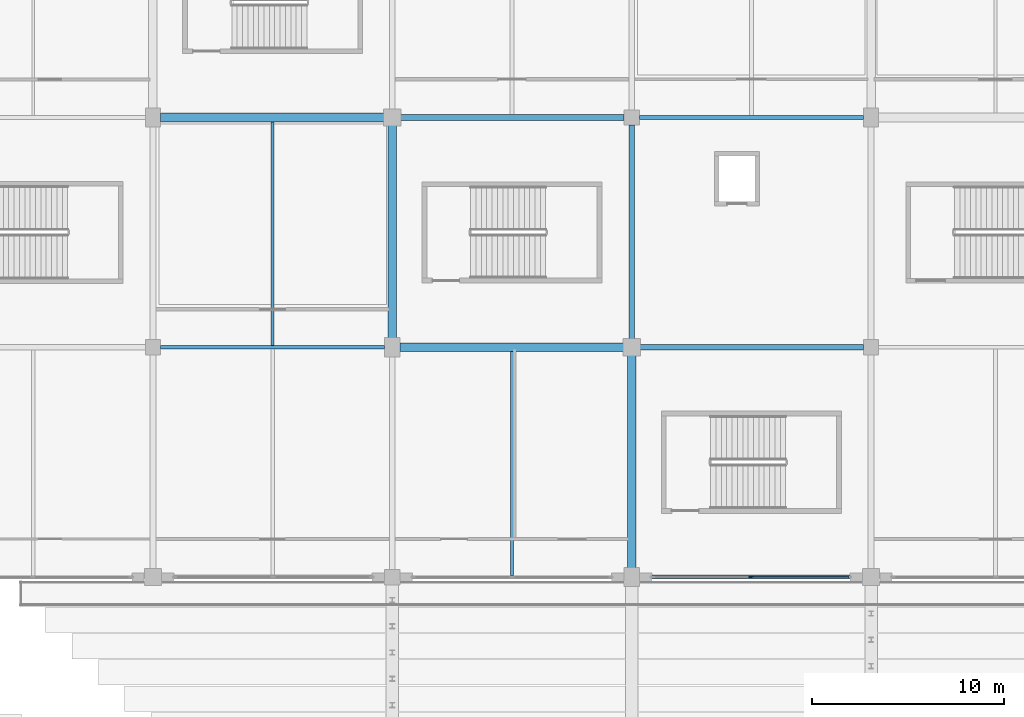
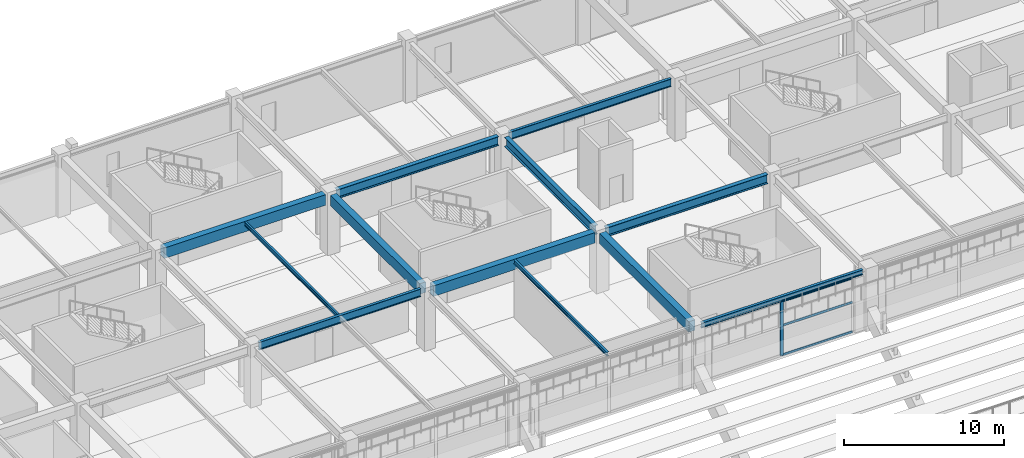
# One storey, part 56 of 134: 12 beams, 4 members, 1 element without a shape of its own.
"""IFC4 building model written with IfcOpenShell, lengths in metres."""

from ifc_helpers import new_model, si_unit, direction, frame, origin, origin_2d, place, context, subcontext, project, spatial, rectangle, i_section, extrude, material, layer, layer_set, material_profile, profile_set, type_object, element, aggregate, save


model = new_model("IFC4")

# Units and contexts
model_context = context("Model", 3, precision=1e-05, world=origin(), true_north=direction((0.0, 1.0)))
body_context = subcontext(model_context, "Body", "Model", "MODEL_VIEW")
ifc_project = project(units=[si_unit("LENGTHUNIT", "METRE"), si_unit("AREAUNIT", "SQUARE_METRE"), si_unit("VOLUMEUNIT", "CUBIC_METRE"), si_unit("PLANEANGLEUNIT", "RADIAN"), si_unit("MASSUNIT", "GRAM", prefix="KILO")], contexts=[model_context])

# Site, building, storey
site_placement = place(None, origin())
site = spatial("IfcSite", under=ifc_project, at=site_placement, CompositionType="ELEMENT")
building_placement = place(site_placement, origin())
building = spatial("IfcBuilding", under=site, at=building_placement, Name="Kazenohara Klinker Stadium", CompositionType="ELEMENT")
storey_placement = place(building_placement, frame((0.0, 0.0, 5.39990234375)))
storey = spatial("IfcBuildingStorey", under=building, at=storey_placement, Name="L01", CompositionType="ELEMENT", Elevation=5.39990234375)

# Beams
ifc_material_1 = material(Name="Steel S355", Category="steel")
ifc_material_profile_1 = material_profile(ifc_material_1, i_section(OverallWidth=0.14990234375, OverallDepth=0.300048828125, WebThickness=0.006591796875, FlangeThickness=0.009033203125, FilletRadius=0.012939453125, at=origin_2d()), Name="H-300x150x6.5x9")
ifc_profile_set_1 = profile_set([ifc_material_profile_1], Name="Steel S355")
beam_type_1 = type_object("IfcBeamType", Name="BM-JST05", PredefinedType="JOIST", material=ifc_profile_set_1)
beam_1_placement = place(storey_placement, frame((67.75, 144.10009765625, 4.400146484375), z_axis=(0.0, 1.0, 0.0), x_axis=(-1.0, 0.0, 0.0)))
element("IfcBeam", 1, at=beam_1_placement, inside=storey, type_object=beam_type_1, Name="Secondary floor joist SJ05 L01 6/N", PredefinedType="JOIST", context=body_context, shape_type="SweptSolid", body=[
    extrude(i_section(OverallWidth=0.14990234375, OverallDepth=0.300048828125, WebThickness=0.006591796875, FlangeThickness=0.009033203125, FilletRadius=0.012939453125, at=origin_2d()), origin(), (0.0, 0.0, 1.0), 11.6748046875),
])
beam_2_placement = place(storey_placement, frame((80.25, 132.08740234375, 4.400146484375), z_axis=(0.0, 1.0, 0.0), x_axis=(-1.0, 0.0, 0.0)))
element("IfcBeam", 2, at=beam_2_placement, inside=storey, type_object=beam_type_1, Name="Secondary floor joist SJ05 L01 7/M", PredefinedType="JOIST", context=body_context, shape_type="SweptSolid", body=[
    extrude(i_section(OverallWidth=0.14990234375, OverallDepth=0.300048828125, WebThickness=0.006591796875, FlangeThickness=0.009033203125, FilletRadius=0.012939453125, at=origin_2d()), origin(), (0.0, 0.0, 1.0), 11.6875),
])
ifc_material_2 = material(Name="Concrete C40/50", Category="concrete")
ifc_material_profile_2 = material_profile(ifc_material_2, rectangle(XDim=0.449951171875, YDim=0.800048828125, at=origin_2d()), Name="RC-BM-450x800")
ifc_profile_set_2 = profile_set([ifc_material_profile_2], Name="Concrete C40/50")
beam_type_2 = type_object("IfcBeamType", Name="BM-RC03", PredefinedType="BEAM", material=ifc_profile_set_2)
for number, where, z_axis, x_axis, name in (
    (3, (61.89990234375, 156.0, 4.150146484375), (1.0, 0.0, 0.0), (0.0, 1.0, 0.0), "Primary girder BG03 L01 6-7/P"),
    (4, (74.39990234375, 144.0, 4.150146484375), (1.0, 0.0, 0.0), (0.0, 1.0, 0.0), "Primary girder BG03 L01 7-8/N"),
):
    element("IfcBeam", number, at=place(storey_placement, frame(where, z_axis=z_axis, x_axis=x_axis)), inside=storey, type_object=beam_type_2, Name=name, PredefinedType="BEAM", context=body_context, shape_type="SweptSolid", body=[
        extrude(rectangle(XDim=0.449951171875, YDim=0.800048828125, at=origin_2d()), origin(), (0.0, 0.0, 1.0), 11.68017578125),
    ])
for number, where, z_axis, x_axis, name in (
    (5, (74.0, 144.419921875, 4.150146484375), (0.0, 1.0, 0.0), (-1.0, 0.0, 0.0), "Primary girder BG03 L01 7/N-P"),
    (6, (86.5, 132.419921875, 4.150146484375), (0.0, 1.0, 0.0), (-1.0, 0.0, 0.0), "Primary girder BG03 L01 8/M-N"),
):
    element("IfcBeam", number, at=place(storey_placement, frame(where, z_axis=z_axis, x_axis=x_axis)), inside=storey, type_object=beam_type_2, Name=name, PredefinedType="BEAM", context=body_context, shape_type="SweptSolid", body=[
        extrude(rectangle(XDim=0.449951171875, YDim=0.800048828125, at=origin_2d()), origin(), (0.0, 0.0, 1.0), 11.16015625),
    ])
ifc_material_profile_3 = material_profile(ifc_material_1, i_section(OverallWidth=0.199951171875, OverallDepth=0.39990234375, WebThickness=0.008056640625, FlangeThickness=0.012939453125, FilletRadius=0.012939453125, at=origin_2d()), Name="H-400x200x8x13")
ifc_profile_set_3 = profile_set([ifc_material_profile_3], Name="Steel S355")
beam_type_3 = type_object("IfcBeamType", Name="BM-SPD01", PredefinedType="SPANDREL", material=ifc_profile_set_3)
beam_3_placement = place(storey_placement, frame((86.89990234375, 132.0, 4.35009765625), z_axis=(1.0, 0.0, 0.0), x_axis=(0.0, 1.0, 0.0)))
element("IfcBeam", 7, at=beam_3_placement, inside=storey, type_object=beam_type_3, Name="Primary girder SP01 L01 8-9/M", PredefinedType="SPANDREL", context=body_context, shape_type="SweptSolid", body=[
    extrude(i_section(OverallWidth=0.199951171875, OverallDepth=0.39990234375, WebThickness=0.008056640625, FlangeThickness=0.012939453125, FilletRadius=0.012939453125, at=origin_2d()), origin(), (0.0, 0.0, 1.0), 11.68017578125),
])
ifc_material_profile_4 = material_profile(ifc_material_1, i_section(OverallWidth=0.300048828125, OverallDepth=0.699951171875, WebThickness=0.012939453125, FlangeThickness=0.02392578125, FilletRadius=0.02197265625, at=origin_2d()), Name="H-700x300x13x24")
ifc_profile_set_4 = profile_set([ifc_material_profile_4], Name="Steel S355")
beam_type_4 = type_object("IfcBeamType", Name="BM-ST03", PredefinedType="BEAM", material=ifc_profile_set_4)
for number, where, z_axis, x_axis, name in (
    (8, (74.419921875, 156.0, 4.2001953125), (1.0, 0.0, 0.0), (0.0, 1.0, 0.0), "Primary girder SB03 L01 7-8/P"),
    (9, (86.919921875, 144.0, 4.2001953125), (1.0, 0.0, 0.0), (0.0, 1.0, 0.0), "Primary girder SB03 L01 8-9/N"),
):
    element("IfcBeam", number, at=place(storey_placement, frame(where, z_axis=z_axis, x_axis=x_axis)), inside=storey, type_object=beam_type_4, Name=name, PredefinedType="BEAM", context=body_context, shape_type="SweptSolid", body=[
        extrude(i_section(OverallWidth=0.300048828125, OverallDepth=0.699951171875, WebThickness=0.012939453125, FlangeThickness=0.02392578125, FilletRadius=0.02197265625, at=origin_2d()), origin(), (0.0, 0.0, 1.0), 11.68017578125),
    ])
beam_4_placement = place(storey_placement, frame((86.5, 144.419921875, 4.2001953125), z_axis=(0.0, 1.0, 0.0), x_axis=(-1.0, 0.0, 0.0)))
element("IfcBeam", 10, at=beam_4_placement, inside=storey, type_object=beam_type_4, Name="Primary girder SB03 L01 8/N-P", PredefinedType="BEAM", context=body_context, shape_type="SweptSolid", body=[
    extrude(i_section(OverallWidth=0.300048828125, OverallDepth=0.699951171875, WebThickness=0.012939453125, FlangeThickness=0.02392578125, FilletRadius=0.02197265625, at=origin_2d()), origin(), (0.0, 0.0, 1.0), 11.18017578125),
])
ifc_material_profile_5 = material_profile(ifc_material_1, i_section(OverallWidth=0.199951171875, OverallDepth=0.60009765625, WebThickness=0.010986328125, FlangeThickness=0.01708984375, FilletRadius=0.012939453125, at=origin_2d()), Name="H-600x200x11x17")
ifc_profile_set_5 = profile_set([ifc_material_profile_5], Name="Steel S355")
beam_type_5 = type_object("IfcBeamType", Name="BM-ST04", PredefinedType="BEAM", material=ifc_profile_set_5)
for number, where, z_axis, x_axis, name in (
    (11, (61.89990234375, 144.0, 4.25), (1.0, 0.0, 0.0), (0.0, 1.0, 0.0), "Primary girder SB04 L01 6-7/N"),
    (12, (86.89990234375, 156.0, 4.25), (1.0, 0.0, 0.0), (0.0, 1.0, 0.0), "Primary girder SB04 L01 8-9/P"),
):
    element("IfcBeam", number, at=place(storey_placement, frame(where, z_axis=z_axis, x_axis=x_axis)), inside=storey, type_object=beam_type_5, Name=name, PredefinedType="BEAM", context=body_context, shape_type="SweptSolid", body=[
        extrude(i_section(OverallWidth=0.199951171875, OverallDepth=0.60009765625, WebThickness=0.010986328125, FlangeThickness=0.01708984375, FilletRadius=0.012939453125, at=origin_2d()), origin(), (0.0, 0.0, 1.0), 11.7001953125),
    ])

# Curtain wall, members
ifc_material_3 = material(Name="Anodised aluminium and triple glazing", Category="aluminium")
ifc_layer = layer(ifc_material_3, 0.18994140625)
ifc_layer_set = layer_set([ifc_layer], Name="Anodised aluminium and triple glazing")
curtain_wall_type = type_object("IfcCurtainWallType", Name="CW-SYS-05", PredefinedType="USERDEFINED", material=ifc_layer_set)
curtain_wall_placement = place(storey_placement, origin())
curtain_wall = element("IfcCurtainWall", 13, at=curtain_wall_placement, inside=storey, type_object=curtain_wall_type, Name="Unitised facade curtain wall CW05 L01 X7-11", ObjectType="UNITISED CURTAIN WALL", PredefinedType="USERDEFINED")
ifc_material_4 = material(Name="Anodised aluminium 6063-T6", Category="aluminium")
ifc_material_profile_6 = material_profile(ifc_material_4, rectangle(XDim=0.074951171875, YDim=0.219970703125, at=origin_2d()), Name="ALU-MUL-75x220")
ifc_profile_set_6 = profile_set([ifc_material_profile_6], Name="Anodised aluminium 6063-T6")
member_type_1 = type_object("IfcMemberType", Name="CW-MUL-220", PredefinedType="MULLION", material=ifc_profile_set_6)
member_1_placement = place(storey_placement, frame((92.72509765625, 132.0, 0.0), z_axis=(0.0, 0.0, 1.0), x_axis=(0.0, 1.0, 0.0)))
member_1 = element("IfcMember", 14, at=member_1_placement, type_object=member_type_1, Name="CW05 mullion 2", PredefinedType="MULLION", context=body_context, shape_type="SweptSolid", body=[
    extrude(rectangle(XDim=0.074951171875, YDim=0.219970703125, at=origin_2d()), origin(), (0.0, 0.0, 1.0), 4.150146484375),
])
ifc_material_profile_7 = material_profile(ifc_material_4, rectangle(XDim=0.074951171875, YDim=0.159912109375, at=origin_2d()), Name="ALU-TRN-75x160")
ifc_profile_set_7 = profile_set([ifc_material_profile_7], Name="Anodised aluminium 6063-T6")
member_type_2 = type_object("IfcMemberType", Name="CW-TRN-160", PredefinedType="USERDEFINED", material=ifc_profile_set_7)
member_2_placement = place(storey_placement, frame((92.762451171875, 132.0, 0.03759765625), z_axis=(1.0, 0.0, 0.0), x_axis=(0.0, 1.0, 0.0)))
member_2 = element("IfcMember", 15, at=member_2_placement, type_object=member_type_2, Name="CW05 transom 2.1", ObjectType="TRANSOM", PredefinedType="USERDEFINED", context=body_context, shape_type="SweptSolid", body=[
    extrude(rectangle(XDim=0.074951171875, YDim=0.159912109375, at=origin_2d()), origin(), (0.0, 0.0, 1.0), 5.05859375),
])
member_3_placement = place(storey_placement, frame((92.762451171875, 132.0, 2.28271484375), z_axis=(1.0, 0.0, 0.0), x_axis=(0.0, 1.0, 0.0)))
member_3 = element("IfcMember", 16, at=member_3_placement, type_object=member_type_2, Name="CW05 transom 2.2", ObjectType="TRANSOM", PredefinedType="USERDEFINED", context=body_context, shape_type="SweptSolid", body=[
    extrude(rectangle(XDim=0.074951171875, YDim=0.159912109375, at=origin_2d()), origin(), (0.0, 0.0, 1.0), 5.05859375),
])
member_4_placement = place(storey_placement, frame((92.762451171875, 132.0, 4.112548828125), z_axis=(1.0, 0.0, 0.0), x_axis=(0.0, 1.0, 0.0)))
member_4 = element("IfcMember", 17, at=member_4_placement, type_object=member_type_2, Name="CW05 transom 2.3", ObjectType="TRANSOM", PredefinedType="USERDEFINED", context=body_context, shape_type="SweptSolid", body=[
    extrude(rectangle(XDim=0.074951171875, YDim=0.159912109375, at=origin_2d()), origin(), (0.0, 0.0, 1.0), 5.05859375),
])
aggregate(curtain_wall, [member_1, member_2, member_3, member_4])

save(model, "model.ifc")
